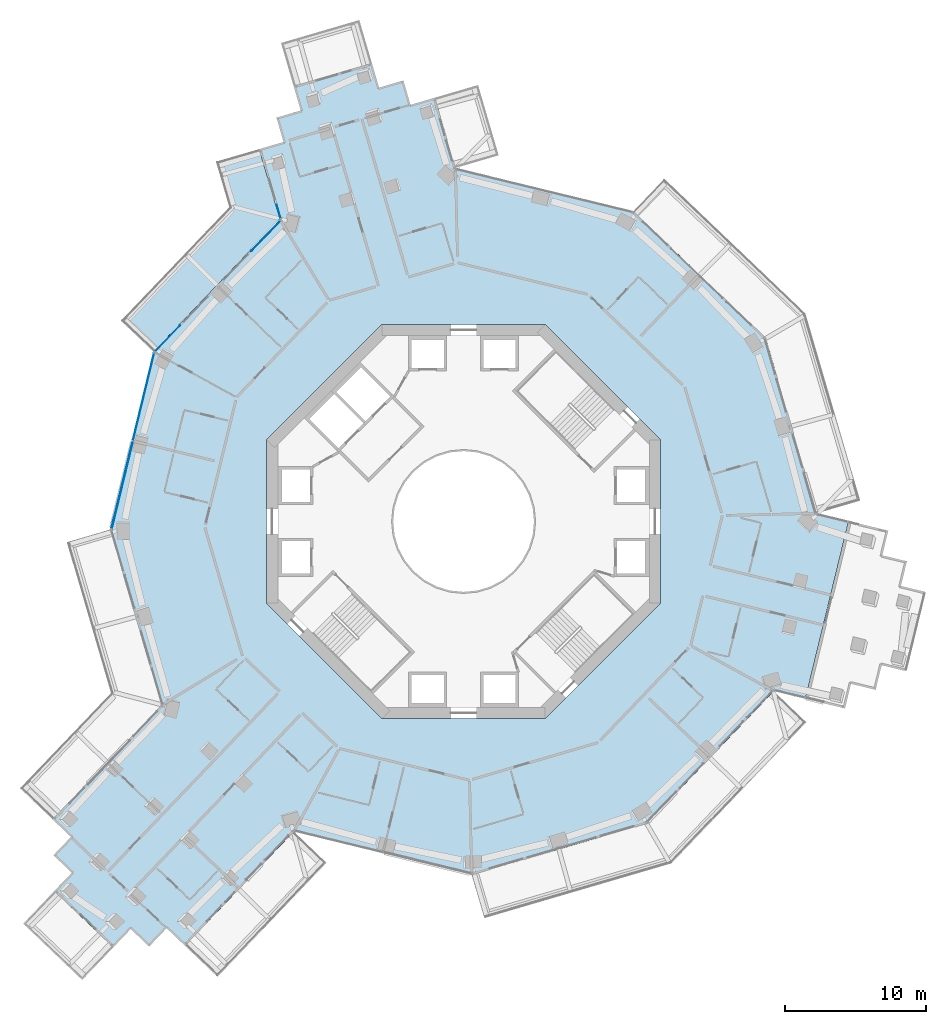
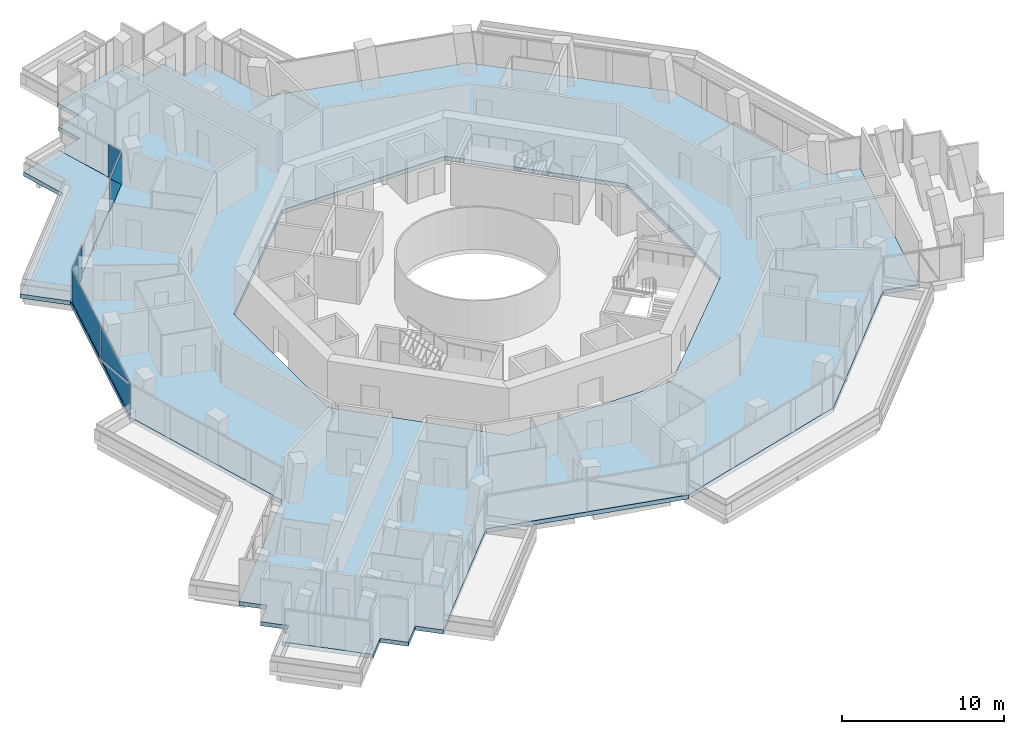
# One storey, part 15 of 25: 7 plates, 2 slabs, 3 elements without a shape of their own.
"""IFC4 building model written with IfcOpenShell, lengths in metres."""

from ifc_helpers import new_model, si_unit, direction, frame, origin, origin_2d, place, context, subcontext, project, spatial, polyline, rectangle, outline, extrude, material, layer, layer_set, type_object, element, aggregate, save


model = new_model("IFC4")

# Units and contexts
model_context = context("Model", 3, precision=1e-05, world=origin(), true_north=direction((0.0, 1.0)))
body_context = subcontext(model_context, "Body", "Model", "MODEL_VIEW")
ifc_project = project(units=[si_unit("LENGTHUNIT", "METRE"), si_unit("AREAUNIT", "SQUARE_METRE"), si_unit("VOLUMEUNIT", "CUBIC_METRE"), si_unit("PLANEANGLEUNIT", "RADIAN"), si_unit("MASSUNIT", "GRAM", prefix="KILO")], contexts=[model_context])

# Site, building, storey
site_placement = place(None, origin())
site = spatial("IfcSite", under=ifc_project, at=site_placement, CompositionType="ELEMENT")
building_placement = place(site_placement, origin())
building = spatial("IfcBuilding", under=site, at=building_placement, Name="Verdalira Terraces Hotel", CompositionType="ELEMENT")
storey_placement = place(building_placement, frame((0.0, 0.0, 100.0)))
storey = spatial("IfcBuildingStorey", under=building, at=storey_placement, Name="L23", CompositionType="ELEMENT", Elevation=100.0)

# Slab
ifc_material_1 = material(Name="Precast concrete C40/50", Category="concrete")
ifc_layer_1 = layer(ifc_material_1, 0.31005859375)
ifc_layer_set_1 = layer_set([ifc_layer_1], Name="Balcony deck 310")
slab_type_1 = type_object("IfcSlabType", Name="Balcony deck 310", PredefinedType="FLOOR", material=ifc_layer_set_1)
slab_1_placement = place(storey_placement, frame((0.0, 0.0, -0.310059)))
element("IfcSlab", 1, at=slab_1_placement, inside=storey, type_object=slab_type_1, Name="Balcony deck", PredefinedType="FLOOR", context=body_context, shape_type="SweptSolid", body=[
    extrude(outline(polyline([(-16.64502, 22.328369), (-24.347168, 14.262695), (-22.032959, 12.052734), (-13.054688, 21.454346), (-14.518311, 26.452637), (-17.589355, 25.553467), (-16.64502, 22.328369)])), origin(), (0.0, 0.0, 1.0), 0.310059),
])

# Curtain wall, plates
ifc_material_2 = material(Name="Clear glass", Category="glass")
ifc_layer_2 = layer(ifc_material_2, 0.14990234375)
ifc_layer_set_2 = layer_set([ifc_layer_2], Name="CW1 curtain wall")
curtain_wall_type_1 = type_object("IfcCurtainWallType", Name="CW1 curtain wall", PredefinedType="NOTDEFINED", material=ifc_layer_set_2)
curtain_wall_1_placement = place(storey_placement, origin())
curtain_wall_1 = element("IfcCurtainWall", 2, at=curtain_wall_1_placement, inside=storey, type_object=curtain_wall_type_1, Name="CW1 curtain wall L23 edge 11", PredefinedType="NOTDEFINED")
ifc_material_3 = material(Name="Clear glass", Category="glass")
ifc_layer_3 = layer(ifc_material_3, 0.028076171875)
ifc_layer_set_3 = layer_set([ifc_layer_3], Name="CW1 glass unit 28")
plate_type_1 = type_object("IfcPlateType", Name="CW1 glass unit 28", PredefinedType="CURTAIN_PANEL", material=ifc_layer_set_3)
plate_1_placement = place(storey_placement, frame((-14.05542, 20.277344, 1.212402), z_axis=(-0.723208265, 0.690630006, 0.0), x_axis=(-0.690630006, -0.723208265, 0.0)))
plate_1 = element("IfcPlate", 3, at=plate_1_placement, type_object=plate_type_1, Name="CW1 glass unit", PredefinedType="CURTAIN_PANEL", context=body_context, shape_type="SweptSolid", body=[
    extrude(outline(polyline([(-1.482422, -1.212402), (1.482422, -1.212402), (1.482422, 1.212402), (-1.482422, -1.212402)])), origin(), (0.0, 0.0, 1.0), 0.028076),
])
plate_2_placement = place(storey_placement, frame((-14.034424, 20.257324, 1.212402), z_axis=(-0.723208265, 0.690630006, 0.0), x_axis=(-0.690630006, -0.723208265, 0.0)))
plate_2 = element("IfcPlate", 4, at=plate_2_placement, type_object=plate_type_1, Name="CW1 glass unit", PredefinedType="CURTAIN_PANEL", context=body_context, shape_type="SweptSolid", body=[
    extrude(outline(polyline([(-1.482422, -1.212402), (1.482422, 1.212402), (-1.482422, 1.212402), (-1.482422, -1.212402)])), origin(), (0.0, 0.0, 1.0), 0.028076),
])
plate_3_placement = place(storey_placement, frame((-21.023926, 13.000488, 0.0), z_axis=(0.0, 0.0, 1.0), x_axis=(-0.690630006, -0.723208265, 0.0)))
plate_3 = element("IfcPlate", 5, at=plate_3_placement, type_object=plate_type_1, Name="CW1 glass unit", PredefinedType="CURTAIN_PANEL", context=body_context, shape_type="SweptSolid", body=[
    extrude(rectangle(XDim=2.564209, YDim=0.028076, at=origin_2d()), origin(), (0.0, 0.0, 1.0), 2.425049),
])
aggregate(curtain_wall_1, [plate_1, plate_2, plate_3])

curtain_wall_2_placement = place(storey_placement, origin())
curtain_wall_2 = element("IfcCurtainWall", 6, at=curtain_wall_2_placement, inside=storey, type_object=curtain_wall_type_1, Name="CW1 curtain wall L23 edge 12", PredefinedType="NOTDEFINED")
plate_4_placement = place(storey_placement, frame((-22.737061, 8.843018, 0.0), z_axis=(0.0, 0.0, 1.0), x_axis=(-0.236498997, -0.971631733, 0.0)))
plate_4 = element("IfcPlate", 7, at=plate_4_placement, type_object=plate_type_1, Name="CW1 glass unit", PredefinedType="CURTAIN_PANEL", context=body_context, shape_type="SweptSolid", body=[
    extrude(rectangle(XDim=6.369873, YDim=0.028076, at=origin_2d()), origin(), (0.0, 0.0, 1.0), 2.425049),
])
plate_5_placement = place(storey_placement, frame((-24.243896, 2.592285, 1.212402), z_axis=(-0.971631733, 0.236498997, 0.0), x_axis=(-0.236498997, -0.971631733, 0.0)))
plate_5 = element("IfcPlate", 8, at=plate_5_placement, type_object=plate_type_1, Name="CW1 glass unit", PredefinedType="CURTAIN_PANEL", context=body_context, shape_type="SweptSolid", body=[
    extrude(outline(polyline([(-3.185059, -1.212402), (3.185059, -1.212402), (3.185059, 1.212402), (-3.185059, -1.212402)])), origin(), (0.0, 0.0, 1.0), 0.028076),
])
plate_6_placement = place(storey_placement, frame((-24.21582, 2.585449, 1.212402), z_axis=(-0.971631733, 0.236498997, 0.0), x_axis=(-0.236498997, -0.971631733, 0.0)))
plate_6 = element("IfcPlate", 9, at=plate_6_placement, type_object=plate_type_1, Name="CW1 glass unit", PredefinedType="CURTAIN_PANEL", context=body_context, shape_type="SweptSolid", body=[
    extrude(outline(polyline([(-3.185059, -1.212402), (3.185059, 1.212402), (-3.185059, 1.212402), (-3.185059, -1.212402)])), origin(), (0.0, 0.0, 1.0), 0.028076),
])
aggregate(curtain_wall_2, [plate_4, plate_5, plate_6])

# Curtain wall, plate
ifc_material_4 = material(Name="Clear glass", Category="glass")
ifc_layer_4 = layer(ifc_material_4, 0.14990234375)
ifc_layer_set_4 = layer_set([ifc_layer_4], Name="CW2 curtain wall")
curtain_wall_type_2 = type_object("IfcCurtainWallType", Name="CW2 curtain wall", PredefinedType="NOTDEFINED", material=ifc_layer_set_4)
curtain_wall_3_placement = place(storey_placement, origin())
curtain_wall_3 = element("IfcCurtainWall", 10, at=curtain_wall_3_placement, inside=storey, type_object=curtain_wall_type_2, Name="CW2 curtain wall L23 edge 10", PredefinedType="NOTDEFINED")
ifc_material_5 = material(Name="Clear glass", Category="glass")
ifc_layer_5 = layer(ifc_material_5, 0.031982421875)
ifc_layer_set_5 = layer_set([ifc_layer_5], Name="CW2 glass unit 32")
plate_type_2 = type_object("IfcPlateType", Name="CW2 glass unit 32", PredefinedType="CURTAIN_PANEL", material=ifc_layer_set_5)
plate_7_placement = place(storey_placement, frame((-13.143799, 22.025391, 0.0), z_axis=(0.0, 0.0, 1.0), x_axis=(0.281001727, -0.959707262, 0.0)))
plate_7 = element("IfcPlate", 11, at=plate_7_placement, type_object=plate_type_2, Name="CW2 glass unit", PredefinedType="CURTAIN_PANEL", context=body_context, shape_type="SweptSolid", body=[
    extrude(rectangle(XDim=1.006348, YDim=0.031982, at=origin_2d()), origin(), (0.0, 0.0, 1.0), 2.425049),
])
aggregate(curtain_wall_3, [plate_7])

# Slab
ifc_material_6 = material(Name="Concrete C40", Category="concrete")
ifc_layer_6 = layer(ifc_material_6, 0.31005859375)
ifc_layer_set_6 = layer_set([ifc_layer_6], Name="Floor slab 310 C40")
slab_type_2 = type_object("IfcSlabType", Name="Floor slab 310 C40", PredefinedType="FLOOR", material=ifc_layer_set_6)
slab_2_placement = place(storey_placement, frame((0.0, 0.0, -0.310059)))
element("IfcSlab", 12, at=slab_2_placement, inside=storey, type_object=slab_type_2, Name="Floor slab L23", PredefinedType="FLOOR", context=body_context, shape_type="SweptSolid", body=[
    extrude(outline(polyline([(13.054688, -21.454346), (22.032959, -12.052734), (24.275146, -12.598389), (27.349609, 0.032715), (25.107422, 0.578613), (21.454346, 13.054688), (12.052734, 22.032959), (-0.578613, 25.107422), (-2.041992, 30.105713), (-3.769531, 29.599854), (-4.275391, 31.327393), (-6.002686, 30.821533), (-6.508545, 32.549072), (-12.074951, 30.919189), (-11.569092, 29.191895), (-13.296631, 28.686035), (-12.790771, 26.958496), (-14.518311, 26.452637), (-13.054688, 21.454346), (-22.032959, 12.052734), (-25.107422, -0.578613), (-21.454346, -13.054688), (-29.195068, -21.160645), (-27.893311, -22.403809), (-29.136475, -23.705566), (-27.834717, -24.948486), (-29.077881, -26.250488), (-24.883301, -30.256104), (-23.640137, -28.954346), (-22.338379, -30.19751), (-21.095215, -28.895508), (-19.793457, -30.138916), (-12.052734, -22.032959), (0.578613, -25.107422), (13.054688, -21.454346)]), holes=[polyline([(5.799072, 14.0), (14.0, 5.799072), (14.0, -5.799072), (5.799072, -14.0), (-5.799072, -14.0), (-14.0, -5.799072), (-14.0, 5.799072), (-5.799072, 14.0), (5.799072, 14.0)])]), origin(), (0.0, 0.0, 1.0), 0.310059),
])

save(model, "model.ifc")
